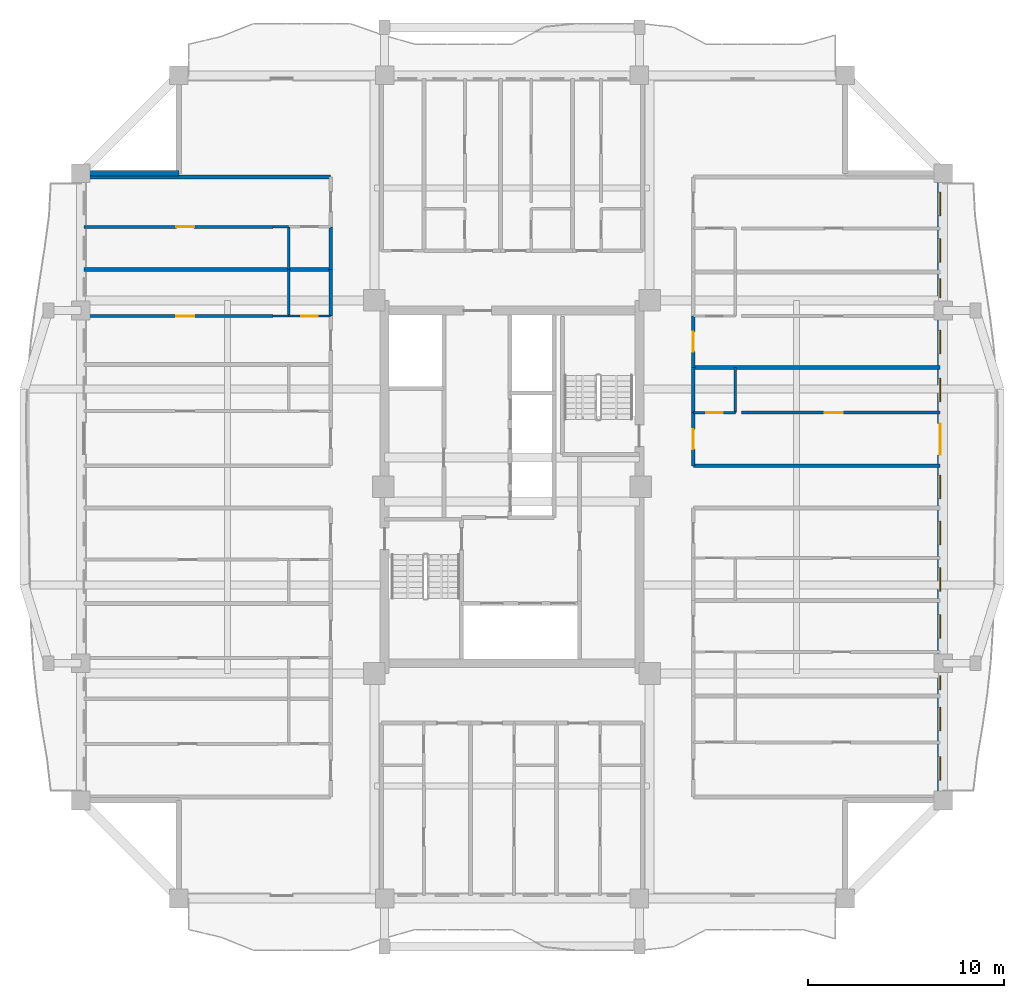
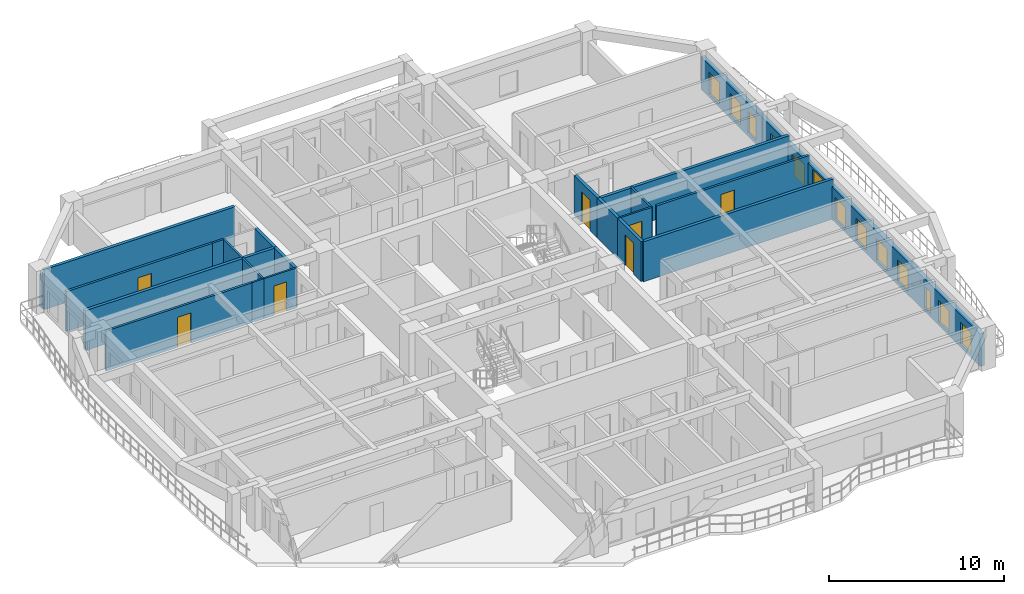
# One storey, part 6 of 15: 21 walls, 12 windows, 8 doors, 20 openings.
"""IFC4 building model written with IfcOpenShell, lengths in metres."""

from ifc_helpers import new_model, si_unit, direction, frame, frame_2d, origin, place, context, subcontext, project, spatial, rectangle, extrude, source, transform, mapped, material, layer, layer_set, type_object, element, fill, save


model = new_model("IFC4")

# Units and contexts
model_context = context("Model", 3, precision=1e-05, world=origin(), true_north=direction((0.0, 1.0)))
body_context = subcontext(model_context, "Body", "Model", "MODEL_VIEW")
ifc_project = project(units=[si_unit("LENGTHUNIT", "METRE"), si_unit("AREAUNIT", "SQUARE_METRE"), si_unit("VOLUMEUNIT", "CUBIC_METRE"), si_unit("PLANEANGLEUNIT", "RADIAN"), si_unit("MASSUNIT", "GRAM", prefix="KILO")], contexts=[model_context])

# Site, building, storey
site_placement = place(None, origin())
site = spatial("IfcSite", under=ifc_project, at=site_placement, CompositionType="ELEMENT")
building_placement = place(site_placement, origin())
building = spatial("IfcBuilding", under=site, at=building_placement, Name="Saelheon Loggia Tower", CompositionType="ELEMENT")
storey_placement = place(building_placement, frame((0.0, 0.0, 163.0)))
storey = spatial("IfcBuildingStorey", under=building, at=storey_placement, Name="L51", CompositionType="ELEMENT", Elevation=163.0)

# Wall, openings, windows, door
ifc_material_1 = material(Name="Architectural Precast Concrete C40/50", Category="concrete")
ifc_layer_1 = layer(ifc_material_1, 0.280029296875)
ifc_layer_set_1 = layer_set([ifc_layer_1], Name="Architectural Precast Concrete C40/50")
wall_type_1 = type_object("IfcWallType", Name="Wall_Ext_Loggia_280", PredefinedType="SOLIDWALL", material=ifc_layer_set_1)
wall_1_placement = place(storey_placement, frame((59.860107421875, 11.0, 0.0), z_axis=(0.0, 0.0, 1.0), x_axis=(0.0, 1.0, 0.0)))
wall_1 = element("IfcWall", 1, at=wall_1_placement, inside=storey, type_object=wall_type_1, Name="L51 East Loggia Inner Wall", PredefinedType="SOLIDWALL", context=body_context, shape_type="SweptSolid", body=[
    extrude(rectangle(XDim=32.0, YDim=0.280029296875, at=frame_2d((16.0, 0.0))), origin(), (0.0, 0.0, 1.0), 2.280029296875),
])
opening_1_placement = place(wall_1_placement, frame((1.040283203125, 0.0, 0.25)))
opening_1 = element("IfcOpeningElement", 2, at=opening_1_placement, cuts=wall_1, Name="Opening WN-03", PredefinedType="OPENING", context=body_context, shape_type="SweptSolid", body=[
    extrude(rectangle(XDim=1.199951171875, YDim=1.5, at=frame_2d((0.60009765625, 0.75))), frame((0.0, 0.152099609375, 0.0), z_axis=(0.0, -1.0, 0.0), x_axis=(1.0, 0.0, 0.0)), (0.0, 0.0, 1.0), 0.303955078125),
])
opening_2_placement = place(wall_1_placement, frame((3.552490234375, 0.0, 0.25)))
opening_2 = element("IfcOpeningElement", 3, at=opening_2_placement, cuts=wall_1, Name="Opening WN-03", PredefinedType="OPENING", context=body_context, shape_type="SweptSolid", body=[
    extrude(rectangle(XDim=1.199951171875, YDim=1.5, at=frame_2d((0.60009765625, 0.75))), frame((0.0, 0.152099609375, 0.0), z_axis=(0.0, -1.0, 0.0), x_axis=(1.0, 0.0, 0.0)), (0.0, 0.0, 1.0), 0.303955078125),
])
opening_3_placement = place(wall_1_placement, frame((5.662109375, 0.0, 0.25)))
opening_3 = element("IfcOpeningElement", 4, at=opening_3_placement, cuts=wall_1, Name="Opening WN-06", PredefinedType="OPENING", context=body_context, shape_type="SweptSolid", body=[
    extrude(rectangle(XDim=0.699951171875, YDim=1.5, at=frame_2d((0.35009765625, 0.75))), frame((0.0, 0.152099609375, 0.0), z_axis=(0.0, -1.0, 0.0), x_axis=(1.0, 0.0, 0.0)), (0.0, 0.0, 1.0), 0.303955078125),
])
opening_4_placement = place(wall_1_placement, frame((8.289794921875, 0.0, 0.25)))
opening_4 = element("IfcOpeningElement", 5, at=opening_4_placement, cuts=wall_1, Name="Opening WN-03", PredefinedType="OPENING", context=body_context, shape_type="SweptSolid", body=[
    extrude(rectangle(XDim=1.199951171875, YDim=1.5, at=frame_2d((0.60009765625, 0.75))), frame((0.0, 0.152099609375, 0.0), z_axis=(0.0, -1.0, 0.0), x_axis=(1.0, 0.0, 0.0)), (0.0, 0.0, 1.0), 0.303955078125),
])
opening_5_placement = place(wall_1_placement, frame((10.68798828125, 0.0, 0.25)))
opening_5 = element("IfcOpeningElement", 6, at=opening_5_placement, cuts=wall_1, Name="Opening WN-03", PredefinedType="OPENING", context=body_context, shape_type="SweptSolid", body=[
    extrude(rectangle(XDim=1.199951171875, YDim=1.5, at=frame_2d((0.60009765625, 0.75))), frame((0.0, 0.152099609375, 0.0), z_axis=(0.0, -1.0, 0.0), x_axis=(1.0, 0.0, 0.0)), (0.0, 0.0, 1.0), 0.303955078125),
])
opening_6_placement = place(wall_1_placement, frame((13.04638671875, 0.0, 0.25)))
opening_6 = element("IfcOpeningElement", 7, at=opening_6_placement, cuts=wall_1, Name="Opening WN-03", PredefinedType="OPENING", context=body_context, shape_type="SweptSolid", body=[
    extrude(rectangle(XDim=1.199951171875, YDim=1.5, at=frame_2d((0.60009765625, 0.75))), frame((0.0, 0.152099609375, 0.0), z_axis=(0.0, -1.0, 0.0), x_axis=(1.0, 0.0, 0.0)), (0.0, 0.0, 1.0), 0.303955078125),
])
opening_7_placement = place(wall_1_placement, frame((15.39990234375, 0.0, 0.25)))
opening_7 = element("IfcOpeningElement", 8, at=opening_7_placement, cuts=wall_1, Name="Opening WN-03", PredefinedType="OPENING", context=body_context, shape_type="SweptSolid", body=[
    extrude(rectangle(XDim=1.199951171875, YDim=1.5, at=frame_2d((0.60009765625, 0.75))), frame((0.0, 0.152099609375, 0.0), z_axis=(0.0, -1.0, 0.0), x_axis=(1.0, 0.0, 0.0)), (0.0, 0.0, 1.0), 0.303955078125),
])
opening_8_placement = place(wall_1_placement, frame((19.233154296875, 0.0, 0.0), z_axis=(0.0, 0.0, 1.0), x_axis=(-1.0, 0.0, 0.0)))
opening_8 = element("IfcOpeningElement", 9, at=opening_8_placement, cuts=wall_1, Name="Opening DLG-1", PredefinedType="OPENING", context=body_context, shape_type="SweptSolid", body=[
    extrude(rectangle(XDim=1.60009765625, YDim=2.14990234375, at=frame_2d((0.800048828125, 1.074951171875))), frame((0.0, 0.152099609375, 0.0), z_axis=(0.0, -1.0, 0.0), x_axis=(1.0, 0.0, 0.0)), (0.0, 0.0, 1.0), 0.303955078125),
])
opening_9_placement = place(wall_1_placement, frame((20.3388671875, 0.0, 0.25)))
opening_9 = element("IfcOpeningElement", 10, at=opening_9_placement, cuts=wall_1, Name="Opening WN-03", PredefinedType="OPENING", context=body_context, shape_type="SweptSolid", body=[
    extrude(rectangle(XDim=1.199951171875, YDim=1.5, at=frame_2d((0.60009765625, 0.75))), frame((0.0, 0.152099609375, 0.0), z_axis=(0.0, -1.0, 0.0), x_axis=(1.0, 0.0, 0.0)), (0.0, 0.0, 1.0), 0.303955078125),
])
opening_10_placement = place(wall_1_placement, frame((22.788330078125, 0.0, 0.25)))
opening_10 = element("IfcOpeningElement", 11, at=opening_10_placement, cuts=wall_1, Name="Opening WN-03", PredefinedType="OPENING", context=body_context, shape_type="SweptSolid", body=[
    extrude(rectangle(XDim=1.199951171875, YDim=1.5, at=frame_2d((0.60009765625, 0.75))), frame((0.0, 0.152099609375, 0.0), z_axis=(0.0, -1.0, 0.0), x_axis=(1.0, 0.0, 0.0)), (0.0, 0.0, 1.0), 0.303955078125),
])
opening_11_placement = place(wall_1_placement, frame((25.660400390625, 0.0, 0.25)))
opening_11 = element("IfcOpeningElement", 12, at=opening_11_placement, cuts=wall_1, Name="Opening WN-04", PredefinedType="OPENING", context=body_context, shape_type="SweptSolid", body=[
    extrude(rectangle(XDim=0.949951171875, YDim=1.5, at=frame_2d((0.47509765625, 0.75))), frame((0.0, 0.152099609375, 0.0), z_axis=(0.0, -1.0, 0.0), x_axis=(1.0, 0.0, 0.0)), (0.0, 0.0, 1.0), 0.303955078125),
])
opening_12_placement = place(wall_1_placement, frame((27.474609375, 0.0, 0.25)))
opening_12 = element("IfcOpeningElement", 13, at=opening_12_placement, cuts=wall_1, Name="Opening WN-03", PredefinedType="OPENING", context=body_context, shape_type="SweptSolid", body=[
    extrude(rectangle(XDim=1.199951171875, YDim=1.5, at=frame_2d((0.60009765625, 0.75))), frame((0.0, 0.152099609375, 0.0), z_axis=(0.0, -1.0, 0.0), x_axis=(1.0, 0.0, 0.0)), (0.0, 0.0, 1.0), 0.303955078125),
])
opening_13_placement = place(wall_1_placement, frame((29.839111328125, 0.0, 0.25)))
opening_13 = element("IfcOpeningElement", 14, at=opening_13_placement, cuts=wall_1, Name="Opening WN-03", PredefinedType="OPENING", context=body_context, shape_type="SweptSolid", body=[
    extrude(rectangle(XDim=1.199951171875, YDim=1.5, at=frame_2d((0.60009765625, 0.75))), frame((0.0, 0.152099609375, 0.0), z_axis=(0.0, -1.0, 0.0), x_axis=(1.0, 0.0, 0.0)), (0.0, 0.0, 1.0), 0.303955078125),
])
ifc_material_2 = material(Name="Thermal-Break Aluminium and Triple Low-E Glass", Category="aluminium")
window_type_1 = type_object("IfcWindowType", Name="Win_Slot_700x1500", PartitioningType="SINGLE_PANEL", PredefinedType="WINDOW", material=ifc_material_2)
shared_shape_1 = source(origin(), body_context, "Body", "SweptSolid", [
    extrude(rectangle(XDim=0.699951171875, YDim=1.5, at=frame_2d((0.35009765625, 0.75))), frame((0.0, 0.030029296875, 0.0), z_axis=(0.0, -1.0, 0.0), x_axis=(1.0, 0.0, 0.0)), (0.0, 0.0, 1.0), 0.06005859375),
])
window_1_placement = place(opening_3_placement, origin())
window_1 = element("IfcWindow", 15, at=window_1_placement, inside=storey, type_object=window_type_1, Name="L51 E Dwelling Window 3", OverallHeight=1.5, OverallWidth=0.699951171875, PartitioningType="SINGLE_PANEL", PredefinedType="WINDOW", context=body_context, shape_type="MappedRepresentation", body=[
    mapped(shared_shape_1, transform((0.0, 0.0, 0.0), scale=1.0)),
])
fill(opening_3, window_1)
window_type_2 = type_object("IfcWindowType", Name="Win_Bedroom_1200x1500", PartitioningType="SINGLE_PANEL", PredefinedType="WINDOW", material=ifc_material_2)
shared_shape_2 = source(origin(), body_context, "Body", "SweptSolid", [
    extrude(rectangle(XDim=1.199951171875, YDim=1.5, at=frame_2d((0.60009765625, 0.75))), frame((0.0, 0.030029296875, 0.0), z_axis=(0.0, -1.0, 0.0), x_axis=(1.0, 0.0, 0.0)), (0.0, 0.0, 1.0), 0.06005859375),
])
window_2_placement = place(opening_1_placement, origin())
window_2 = element("IfcWindow", 16, at=window_2_placement, inside=storey, type_object=window_type_2, Name="L51 E Dwelling Window 1", OverallHeight=1.5, OverallWidth=1.199951171875, PartitioningType="SINGLE_PANEL", PredefinedType="WINDOW", context=body_context, shape_type="MappedRepresentation", body=[
    mapped(shared_shape_2, transform((0.0, 0.0, 0.0), scale=1.0)),
])
fill(opening_1, window_2)
window_3_placement = place(opening_2_placement, origin())
window_3 = element("IfcWindow", 17, at=window_3_placement, inside=storey, type_object=window_type_2, Name="L51 E Dwelling Window 2", OverallHeight=1.5, OverallWidth=1.199951171875, PartitioningType="SINGLE_PANEL", PredefinedType="WINDOW", context=body_context, shape_type="MappedRepresentation", body=[
    mapped(shared_shape_2, transform((0.0, 0.0, 0.0), scale=1.0)),
])
fill(opening_2, window_3)
window_4_placement = place(opening_4_placement, origin())
window_4 = element("IfcWindow", 18, at=window_4_placement, inside=storey, type_object=window_type_2, Name="L51 E Dwelling Window 4", OverallHeight=1.5, OverallWidth=1.199951171875, PartitioningType="SINGLE_PANEL", PredefinedType="WINDOW", context=body_context, shape_type="MappedRepresentation", body=[
    mapped(shared_shape_2, transform((0.0, 0.0, 0.0), scale=1.0)),
])
fill(opening_4, window_4)
window_5_placement = place(opening_5_placement, origin())
window_5 = element("IfcWindow", 19, at=window_5_placement, inside=storey, type_object=window_type_2, Name="L51 E Dwelling Window 5", OverallHeight=1.5, OverallWidth=1.199951171875, PartitioningType="SINGLE_PANEL", PredefinedType="WINDOW", context=body_context, shape_type="MappedRepresentation", body=[
    mapped(shared_shape_2, transform((0.0, 0.0, 0.0), scale=1.0)),
])
fill(opening_5, window_5)
window_6_placement = place(opening_6_placement, origin())
window_6 = element("IfcWindow", 20, at=window_6_placement, inside=storey, type_object=window_type_2, Name="L51 E Dwelling Window 6", OverallHeight=1.5, OverallWidth=1.199951171875, PartitioningType="SINGLE_PANEL", PredefinedType="WINDOW", context=body_context, shape_type="MappedRepresentation", body=[
    mapped(shared_shape_2, transform((0.0, 0.0, 0.0), scale=1.0)),
])
fill(opening_6, window_6)
window_7_placement = place(opening_7_placement, origin())
window_7 = element("IfcWindow", 21, at=window_7_placement, inside=storey, type_object=window_type_2, Name="L51 E Dwelling Window 7", OverallHeight=1.5, OverallWidth=1.199951171875, PartitioningType="SINGLE_PANEL", PredefinedType="WINDOW", context=body_context, shape_type="MappedRepresentation", body=[
    mapped(shared_shape_2, transform((0.0, 0.0, 0.0), scale=1.0)),
])
fill(opening_7, window_7)
window_8_placement = place(opening_9_placement, origin())
window_8 = element("IfcWindow", 22, at=window_8_placement, inside=storey, type_object=window_type_2, Name="L51 E Dwelling Window 9", OverallHeight=1.5, OverallWidth=1.199951171875, PartitioningType="SINGLE_PANEL", PredefinedType="WINDOW", context=body_context, shape_type="MappedRepresentation", body=[
    mapped(shared_shape_2, transform((0.0, 0.0, 0.0), scale=1.0)),
])
fill(opening_9, window_8)
window_9_placement = place(opening_10_placement, origin())
window_9 = element("IfcWindow", 23, at=window_9_placement, inside=storey, type_object=window_type_2, Name="L51 E Dwelling Window 10", OverallHeight=1.5, OverallWidth=1.199951171875, PartitioningType="SINGLE_PANEL", PredefinedType="WINDOW", context=body_context, shape_type="MappedRepresentation", body=[
    mapped(shared_shape_2, transform((0.0, 0.0, 0.0), scale=1.0)),
])
fill(opening_10, window_9)
window_10_placement = place(opening_12_placement, origin())
window_10 = element("IfcWindow", 24, at=window_10_placement, inside=storey, type_object=window_type_2, Name="L51 E Dwelling Window 12", OverallHeight=1.5, OverallWidth=1.199951171875, PartitioningType="SINGLE_PANEL", PredefinedType="WINDOW", context=body_context, shape_type="MappedRepresentation", body=[
    mapped(shared_shape_2, transform((0.0, 0.0, 0.0), scale=1.0)),
])
fill(opening_12, window_10)
window_11_placement = place(opening_13_placement, origin())
window_11 = element("IfcWindow", 25, at=window_11_placement, inside=storey, type_object=window_type_2, Name="L51 E Dwelling Window 13", OverallHeight=1.5, OverallWidth=1.199951171875, PartitioningType="SINGLE_PANEL", PredefinedType="WINDOW", context=body_context, shape_type="MappedRepresentation", body=[
    mapped(shared_shape_2, transform((0.0, 0.0, 0.0), scale=1.0)),
])
fill(opening_13, window_11)
window_type_3 = type_object("IfcWindowType", Name="Win_Narrow_950x1500", PartitioningType="SINGLE_PANEL", PredefinedType="WINDOW", material=ifc_material_2)
shared_shape_3 = source(origin(), body_context, "Body", "SweptSolid", [
    extrude(rectangle(XDim=0.949951171875, YDim=1.5, at=frame_2d((0.47509765625, 0.75))), frame((0.0, 0.030029296875, 0.0), z_axis=(0.0, -1.0, 0.0), x_axis=(1.0, 0.0, 0.0)), (0.0, 0.0, 1.0), 0.06005859375),
])
window_12_placement = place(opening_11_placement, origin())
window_12 = element("IfcWindow", 26, at=window_12_placement, inside=storey, type_object=window_type_3, Name="L51 E Dwelling Window 11", OverallHeight=1.5, OverallWidth=0.949951171875, PartitioningType="SINGLE_PANEL", PredefinedType="WINDOW", context=body_context, shape_type="MappedRepresentation", body=[
    mapped(shared_shape_3, transform((0.0, 0.0, 0.0), scale=1.0)),
])
fill(opening_11, window_12)
ifc_material_3 = material(Name="Thermal-Break Aluminium Sliding Glazed Door", Category="aluminium")
door_type_1 = type_object("IfcDoorType", Name="Door_LoggiaSlide_1600", OperationType="SLIDING_TO_LEFT", PredefinedType="DOOR", material=ifc_material_3)
shared_shape_4 = source(origin(), body_context, "Body", "SweptSolid", [
    extrude(rectangle(XDim=1.60009765625, YDim=2.14990234375, at=frame_2d((0.800048828125, 1.074951171875))), frame((0.0, 0.02490234375, 0.0), z_axis=(0.0, -1.0, 0.0), x_axis=(1.0, 0.0, 0.0)), (0.0, 0.0, 1.0), 0.050048828125),
])
door_1_placement = place(opening_8_placement, origin())
door_1 = element("IfcDoor", 27, at=door_1_placement, inside=storey, type_object=door_type_1, Name="L51 E Loggia Access Door", OperationType="SLIDING_TO_LEFT", OverallHeight=2.14990234375, OverallWidth=1.60009765625, PredefinedType="DOOR", context=body_context, shape_type="MappedRepresentation", body=[
    mapped(shared_shape_4, transform((0.0, 0.0, 0.0), scale=1.0)),
])
fill(opening_8, door_1)

# Wall
wall_2_placement = place(storey_placement, frame((16.080078125, 43.0, 0.0), z_axis=(0.0, 0.0, 1.0), x_axis=(1.0, 0.0, 0.0)))
element("IfcWall", 28, at=wall_2_placement, inside=storey, type_object=wall_type_1, Name="L51 Corner Notch Precast Wall NW2", PredefinedType="SOLIDWALL", context=body_context, shape_type="SweptSolid", body=[
    extrude(rectangle(XDim=4.919921875, YDim=0.280029296875, at=frame_2d((2.4599609375, 0.0))), origin(), (0.0, 0.0, 1.0), 2.280029296875),
])

# Wall, opening, door
ifc_material_4 = material(Name="Lightweight Autoclaved Aerated Concrete Block and Acoustic Gypsum", Category="concrete")
ifc_layer_2 = layer(ifc_material_4, 0.14990234375)
ifc_layer_set_2 = layer_set([ifc_layer_2], Name="Lightweight Autoclaved Aerated Concrete Block and Acoustic Gypsum")
wall_type_2 = type_object("IfcWallType", Name="Wall_Part_150", PredefinedType="PARTITIONING", material=ifc_layer_set_2)
wall_3_placement = place(storey_placement, frame((25.81005859375, 35.719970703125, 0.0), z_axis=(0.0, 0.0, 1.0), x_axis=(-1.0, 0.0, 0.0)))
wall_3 = element("IfcWall", 29, at=wall_3_placement, inside=storey, type_object=wall_type_2, Name="L51 WN Partition U15", PredefinedType="PARTITIONING", context=body_context, shape_type="SweptSolid", body=[
    extrude(rectangle(XDim=9.66015625, YDim=0.14990234375, at=frame_2d((4.830078125, 0.0))), origin(), (0.0, 0.0, 1.0), 2.7900390625),
])
opening_14_placement = place(wall_3_placement, frame((4.034912109375, 0.0, 0.0)))
opening_14 = element("IfcOpeningElement", 30, at=opening_14_placement, cuts=wall_3, Name="Opening D-IN2", PredefinedType="OPENING", context=body_context, shape_type="SweptSolid", body=[
    extrude(rectangle(XDim=0.89990234375, YDim=2.10009765625, at=frame_2d((0.449951171875, 1.050048828125))), frame((0.0, 0.0869140625, 0.0), z_axis=(0.0, -1.0, 0.0), x_axis=(1.0, 0.0, 0.0)), (0.0, 0.0, 1.0), 0.173828125),
])
ifc_material_5 = material(Name="Engineered Oak Flush Door", Category="timber")
door_type_2 = type_object("IfcDoorType", Name="Door_Int_900", OperationType="NOTDEFINED", PredefinedType="DOOR", material=ifc_material_5)
shared_shape_5 = source(origin(), body_context, "Body", "SweptSolid", [
    extrude(rectangle(XDim=0.89990234375, YDim=2.10009765625, at=frame_2d((0.449951171875, 1.050048828125))), frame((0.0, 0.02490234375, 0.0), z_axis=(0.0, -1.0, 0.0), x_axis=(1.0, 0.0, 0.0)), (0.0, 0.0, 1.0), 0.050048828125),
])
door_2_placement = place(opening_14_placement, origin())
door_2 = element("IfcDoor", 31, at=door_2_placement, inside=storey, type_object=door_type_2, Name="Unit U11 Kitchen Door", OperationType="SINGLE_SWING_LEFT", OverallHeight=2.10009765625, OverallWidth=0.89990234375, PredefinedType="DOOR", context=body_context, shape_type="MappedRepresentation", body=[
    mapped(shared_shape_5, transform((0.0, 0.0, 0.0), scale=1.0)),
])
fill(opening_14, door_2)

wall_4_placement = place(storey_placement, frame((25.81005859375, 40.27294921875, 0.0), z_axis=(0.0, 0.0, 1.0), x_axis=(-1.0, 0.0, 0.0)))
wall_4 = element("IfcWall", 32, at=wall_4_placement, inside=storey, type_object=wall_type_2, Name="L51 WN Partition U22", PredefinedType="PARTITIONING", context=body_context, shape_type="SweptSolid", body=[
    extrude(rectangle(XDim=9.66015625, YDim=0.14990234375, at=frame_2d((4.830078125, 0.0))), origin(), (0.0, 0.0, 1.0), 2.7900390625),
])
opening_15_placement = place(wall_4_placement, frame((4.034912109375, 0.0, 0.0)))
opening_15 = element("IfcOpeningElement", 33, at=opening_15_placement, cuts=wall_4, Name="Opening D-IN2", PredefinedType="OPENING", context=body_context, shape_type="SweptSolid", body=[
    extrude(rectangle(XDim=0.89990234375, YDim=2.10009765625, at=frame_2d((0.449951171875, 1.050048828125))), frame((0.0, 0.0869140625, 0.0), z_axis=(0.0, -1.0, 0.0), x_axis=(1.0, 0.0, 0.0)), (0.0, 0.0, 1.0), 0.173828125),
])
door_3_placement = place(opening_15_placement, origin())
door_3 = element("IfcDoor", 34, at=door_3_placement, inside=storey, type_object=door_type_2, Name="Unit U12 Kitchen Door", OperationType="SINGLE_SWING_RIGHT", OverallHeight=2.10009765625, OverallWidth=0.89990234375, PredefinedType="DOOR", context=body_context, shape_type="MappedRepresentation", body=[
    mapped(shared_shape_5, transform((0.0, 0.0, 0.0), scale=1.0)),
])
fill(opening_15, door_3)

wall_5_placement = place(storey_placement, frame((49.7099609375, 30.786376953125, 0.0), z_axis=(0.0, 0.0, 1.0), x_axis=(1.0, 0.0, 0.0)))
wall_5 = element("IfcWall", 35, at=wall_5_placement, inside=storey, type_object=wall_type_2, Name="L51 EN Partition U07", PredefinedType="PARTITIONING", context=body_context, shape_type="SweptSolid", body=[
    extrude(rectangle(XDim=10.14013671875, YDim=0.14990234375, at=frame_2d((5.070068359375, 0.0))), origin(), (0.0, 0.0, 1.0), 2.7900390625),
])
opening_16_placement = place(wall_5_placement, frame((4.2548828125, 0.0, 0.0)))
opening_16 = element("IfcOpeningElement", 36, at=opening_16_placement, cuts=wall_5, Name="Opening D-IN2", PredefinedType="OPENING", context=body_context, shape_type="SweptSolid", body=[
    extrude(rectangle(XDim=0.89990234375, YDim=2.10009765625, at=frame_2d((0.449951171875, 1.050048828125))), frame((0.0, 0.0869140625, 0.0), z_axis=(0.0, -1.0, 0.0), x_axis=(1.0, 0.0, 0.0)), (0.0, 0.0, 1.0), 0.173828125),
])
door_4_placement = place(opening_16_placement, origin())
door_4 = element("IfcDoor", 37, at=door_4_placement, inside=storey, type_object=door_type_2, Name="Unit U16 Kitchen Door", OperationType="SINGLE_SWING_RIGHT", OverallHeight=2.10009765625, OverallWidth=0.89990234375, PredefinedType="DOOR", context=body_context, shape_type="MappedRepresentation", body=[
    mapped(shared_shape_5, transform((0.0, 0.0, 0.0), scale=1.0)),
])
fill(opening_16, door_4)

# Walls
ifc_material_6 = material(Name="Double Acoustic Stud and Fireboard Partition", Category="gypsum")
ifc_layer_3 = layer(ifc_material_6, 0.199951171875)
ifc_layer_set_3 = layer_set([ifc_layer_3], Name="Double Acoustic Stud and Fireboard Partition")
wall_type_3 = type_object("IfcWallType", Name="Wall_Party_200", PredefinedType="PARTITIONING", material=ifc_layer_set_3)
wall_6_placement = place(storey_placement, frame((28.75, 42.820068359375, 0.0), z_axis=(0.0, 0.0, 1.0), x_axis=(-1.0, 0.0, 0.0)))
element("IfcWall", 38, at=wall_6_placement, inside=storey, type_object=wall_type_3, Name="L51 WN Partition U02", PredefinedType="PARTITIONING", context=body_context, shape_type="SweptSolid", body=[
    extrude(rectangle(XDim=12.60009765625, YDim=0.199951171875, at=frame_2d((6.300048828125, 0.0))), origin(), (0.0, 0.0, 1.0), 2.7900390625),
])
wall_7_placement = place(storey_placement, frame((28.75, 35.719970703125, 0.0), z_axis=(0.0, 0.0, 1.0), x_axis=(0.0, 1.0, 0.0)))
element("IfcWall", 39, at=wall_7_placement, inside=storey, type_object=wall_type_3, Name="L51 WN Partition V11", PredefinedType="PARTITIONING", context=body_context, shape_type="SweptSolid", body=[
    extrude(rectangle(XDim=2.38330078125, YDim=0.199951171875, at=frame_2d((1.191650390625, 0.0))), origin(), (0.0, 0.0, 1.0), 2.7900390625),
])
wall_8_placement = place(storey_placement, frame((28.75, 38.103271484375, 0.0), z_axis=(0.0, 0.0, 1.0), x_axis=(-1.0, 0.0, 0.0)))
element("IfcWall", 40, at=wall_8_placement, inside=storey, type_object=wall_type_3, Name="L51 WN Partition U16", PredefinedType="PARTITIONING", context=body_context, shape_type="SweptSolid", body=[
    extrude(rectangle(XDim=12.60009765625, YDim=0.199951171875, at=frame_2d((6.300048828125, 0.0))), origin(), (0.0, 0.0, 1.0), 2.7900390625),
])
wall_9_placement = place(storey_placement, frame((28.75, 38.103271484375, 0.0), z_axis=(0.0, 0.0, 1.0), x_axis=(0.0, 1.0, 0.0)))
element("IfcWall", 41, at=wall_9_placement, inside=storey, type_object=wall_type_3, Name="L51 WN Partition V17", PredefinedType="PARTITIONING", context=body_context, shape_type="SweptSolid", body=[
    extrude(rectangle(XDim=2.169677734375, YDim=0.199951171875, at=frame_2d((1.0849609375, 0.0))), origin(), (0.0, 0.0, 1.0), 2.7900390625),
])
wall_10_placement = place(storey_placement, frame((47.25, 28.080078125, 0.0), z_axis=(0.0, 0.0, 1.0), x_axis=(1.0, 0.0, 0.0)))
element("IfcWall", 42, at=wall_10_placement, inside=storey, type_object=wall_type_3, Name="L51 EN Partition U01", PredefinedType="PARTITIONING", context=body_context, shape_type="SweptSolid", body=[
    extrude(rectangle(XDim=12.60009765625, YDim=0.199951171875, at=frame_2d((6.300048828125, 0.0))), origin(), (0.0, 0.0, 1.0), 2.7900390625),
])

# Wall, opening, door
wall_11_placement = place(storey_placement, frame((47.25, 28.080078125, 0.0), z_axis=(0.0, 0.0, 1.0), x_axis=(0.0, 1.0, 0.0)))
wall_11 = element("IfcWall", 43, at=wall_11_placement, inside=storey, type_object=wall_type_3, Name="L51 EN Partition V03", PredefinedType="PARTITIONING", context=body_context, shape_type="SweptSolid", body=[
    extrude(rectangle(XDim=2.706298828125, YDim=0.199951171875, at=frame_2d((1.35302734375, 0.0))), origin(), (0.0, 0.0, 1.0), 2.7900390625),
])
opening_17_placement = place(wall_11_placement, frame((0.853271484375, 0.0, 0.0)))
opening_17 = element("IfcOpeningElement", 44, at=opening_17_placement, cuts=wall_11, Name="Opening D-FD1", PredefinedType="OPENING", context=body_context, shape_type="SweptSolid", body=[
    extrude(rectangle(XDim=1.0, YDim=2.14990234375, at=frame_2d((0.5, 1.074951171875))), frame((0.0, 0.112060546875, 0.0), z_axis=(0.0, -1.0, 0.0), x_axis=(1.0, 0.0, 0.0)), (0.0, 0.0, 1.0), 0.223876953125),
])
ifc_material_7 = material(Name="Fire-Rated Engineered Timber Entrance Door", Category="wood")
door_type_3 = type_object("IfcDoorType", Name="Door_Flat_FD30S", OperationType="NOTDEFINED", PredefinedType="DOOR", material=ifc_material_7)
shared_shape_6 = source(origin(), body_context, "Body", "SweptSolid", [
    extrude(rectangle(XDim=1.0, YDim=2.14990234375, at=frame_2d((0.5, 1.074951171875))), frame((0.0, 0.02490234375, 0.0), z_axis=(0.0, -1.0, 0.0), x_axis=(1.0, 0.0, 0.0)), (0.0, 0.0, 1.0), 0.050048828125),
])
door_5_placement = place(opening_17_placement, origin())
door_5 = element("IfcDoor", 45, at=door_5_placement, inside=storey, type_object=door_type_3, Name="Unit U16 Entrance Door", OperationType="SINGLE_SWING_RIGHT", OverallHeight=2.14990234375, OverallWidth=1.0, PredefinedType="DOOR", context=body_context, shape_type="MappedRepresentation", body=[
    mapped(shared_shape_6, transform((0.0, 0.0, 0.0), scale=1.0)),
])
fill(opening_17, door_5)

# Walls
wall_12_placement = place(storey_placement, frame((47.25, 30.786376953125, 0.0), z_axis=(0.0, 0.0, 1.0), x_axis=(0.0, 1.0, 0.0)))
element("IfcWall", 46, at=wall_12_placement, inside=storey, type_object=wall_type_3, Name="L51 EN Partition V04", PredefinedType="PARTITIONING", context=body_context, shape_type="SweptSolid", body=[
    extrude(rectangle(XDim=2.30517578125, YDim=0.199951171875, at=frame_2d((1.152587890625, 0.0))), origin(), (0.0, 0.0, 1.0), 2.7900390625),
])
wall_13_placement = place(storey_placement, frame((47.25, 33.091552734375, 0.0), z_axis=(0.0, 0.0, 1.0), x_axis=(1.0, 0.0, 0.0)))
element("IfcWall", 47, at=wall_13_placement, inside=storey, type_object=wall_type_3, Name="L51 EN Partition U08", PredefinedType="PARTITIONING", context=body_context, shape_type="SweptSolid", body=[
    extrude(rectangle(XDim=12.60009765625, YDim=0.199951171875, at=frame_2d((6.300048828125, 0.0))), origin(), (0.0, 0.0, 1.0), 2.7900390625),
])

# Wall, opening, door
wall_14_placement = place(storey_placement, frame((47.25, 33.091552734375, 0.0), z_axis=(0.0, 0.0, 1.0), x_axis=(0.0, 1.0, 0.0)))
wall_14 = element("IfcWall", 48, at=wall_14_placement, inside=storey, type_object=wall_type_3, Name="L51 EN Partition V09", PredefinedType="PARTITIONING", context=body_context, shape_type="SweptSolid", body=[
    extrude(rectangle(XDim=2.62841796875, YDim=0.199951171875, at=frame_2d((1.314208984375, 0.0))), origin(), (0.0, 0.0, 1.0), 2.7900390625),
])
opening_18_placement = place(wall_14_placement, frame((0.814208984375, 0.0, 0.0)))
opening_18 = element("IfcOpeningElement", 49, at=opening_18_placement, cuts=wall_14, Name="Opening D-FD1", PredefinedType="OPENING", context=body_context, shape_type="SweptSolid", body=[
    extrude(rectangle(XDim=1.0, YDim=2.14990234375, at=frame_2d((0.5, 1.074951171875))), frame((0.0, 0.112060546875, 0.0), z_axis=(0.0, -1.0, 0.0), x_axis=(1.0, 0.0, 0.0)), (0.0, 0.0, 1.0), 0.223876953125),
])
door_6_placement = place(opening_18_placement, origin())
door_6 = element("IfcDoor", 50, at=door_6_placement, inside=storey, type_object=door_type_3, Name="Unit U17 Entrance Door", OperationType="SINGLE_SWING_LEFT", OverallHeight=2.14990234375, OverallWidth=1.0, PredefinedType="DOOR", context=body_context, shape_type="MappedRepresentation", body=[
    mapped(shared_shape_6, transform((0.0, 0.0, 0.0), scale=1.0)),
])
fill(opening_18, door_6)

ifc_material_8 = material(Name="Moisture-Resistant Cement Board Partition", Category="gypsum")
ifc_layer_4 = layer(ifc_material_8, 0.1201171875)
ifc_layer_set_4 = layer_set([ifc_layer_4], Name="Moisture-Resistant Cement Board Partition")
wall_type_4 = type_object("IfcWallType", Name="Wall_WetPart_120", PredefinedType="PARTITIONING", material=ifc_layer_set_4)
wall_15_placement = place(storey_placement, frame((28.75, 35.719970703125, 0.0), z_axis=(0.0, 0.0, 1.0), x_axis=(-1.0, 0.0, 0.0)))
wall_15 = element("IfcWall", 51, at=wall_15_placement, inside=storey, type_object=wall_type_4, Name="L51 WN Partition U12", PredefinedType="PARTITIONING", context=body_context, shape_type="SweptSolid", body=[
    extrude(rectangle(XDim=2.14990234375, YDim=0.1201171875, at=frame_2d((1.074951171875, 0.0))), origin(), (0.0, 0.0, 1.0), 2.7900390625),
])
opening_19_placement = place(wall_15_placement, frame((0.64990234375, 0.0, 0.0)))
opening_19 = element("IfcOpeningElement", 52, at=opening_19_placement, cuts=wall_15, Name="Opening D-BT1", PredefinedType="OPENING", context=body_context, shape_type="SweptSolid", body=[
    extrude(rectangle(XDim=0.85009765625, YDim=2.050048828125, at=frame_2d((0.425048828125, 1.02490234375))), frame((0.0, 0.072021484375, 0.0), z_axis=(0.0, -1.0, 0.0), x_axis=(1.0, 0.0, 0.0)), (0.0, 0.0, 1.0), 0.14404296875),
])
ifc_material_9 = material(Name="Moisture-Resistant Laminate Timber Door", Category="wood")
door_type_4 = type_object("IfcDoorType", Name="Door_Bath_850", OperationType="NOTDEFINED", PredefinedType="DOOR", material=ifc_material_9)
shared_shape_7 = source(origin(), body_context, "Body", "SweptSolid", [
    extrude(rectangle(XDim=0.85009765625, YDim=2.050048828125, at=frame_2d((0.425048828125, 1.02490234375))), frame((0.0, 0.02490234375, 0.0), z_axis=(0.0, -1.0, 0.0), x_axis=(1.0, 0.0, 0.0)), (0.0, 0.0, 1.0), 0.050048828125),
])
door_7_placement = place(opening_19_placement, origin())
door_7 = element("IfcDoor", 53, at=door_7_placement, inside=storey, type_object=door_type_4, Name="Unit U11 Bathroom Door", OperationType="SINGLE_SWING_RIGHT", OverallHeight=2.050048828125, OverallWidth=0.85009765625, PredefinedType="DOOR", context=body_context, shape_type="MappedRepresentation", body=[
    mapped(shared_shape_7, transform((0.0, 0.0, 0.0), scale=1.0)),
])
fill(opening_19, door_7)

# Walls
wall_16_placement = place(storey_placement, frame((26.60009765625, 35.719970703125, 0.0), z_axis=(0.0, 0.0, 1.0), x_axis=(-1.0, 0.0, 0.0)))
element("IfcWall", 54, at=wall_16_placement, inside=storey, type_object=wall_type_4, Name="L51 WN Partition U13", PredefinedType="PARTITIONING", context=body_context, shape_type="SweptSolid", body=[
    extrude(rectangle(XDim=0.7900390625, YDim=0.1201171875, at=frame_2d((0.39501953125, 0.0))), origin(), (0.0, 0.0, 1.0), 2.7900390625),
])
wall_17_placement = place(storey_placement, frame((26.60009765625, 35.719970703125, 0.0), z_axis=(0.0, 0.0, 1.0), x_axis=(0.0, 1.0, 0.0)))
element("IfcWall", 55, at=wall_17_placement, inside=storey, type_object=wall_type_4, Name="L51 WN Partition V14", PredefinedType="PARTITIONING", context=body_context, shape_type="SweptSolid", body=[
    extrude(rectangle(XDim=2.38330078125, YDim=0.1201171875, at=frame_2d((1.191650390625, 0.0))), origin(), (0.0, 0.0, 1.0), 2.7900390625),
])
wall_18_placement = place(storey_placement, frame((26.60009765625, 40.27294921875, 0.0), z_axis=(0.0, 0.0, 1.0), x_axis=(-1.0, 0.0, 0.0)))
element("IfcWall", 56, at=wall_18_placement, inside=storey, type_object=wall_type_4, Name="L51 WN Partition U20", PredefinedType="PARTITIONING", context=body_context, shape_type="SweptSolid", body=[
    extrude(rectangle(XDim=0.7900390625, YDim=0.1201171875, at=frame_2d((0.39501953125, 0.0))), origin(), (0.0, 0.0, 1.0), 2.7900390625),
])
wall_19_placement = place(storey_placement, frame((26.60009765625, 38.103271484375, 0.0), z_axis=(0.0, 0.0, 1.0), x_axis=(0.0, 1.0, 0.0)))
element("IfcWall", 57, at=wall_19_placement, inside=storey, type_object=wall_type_4, Name="L51 WN Partition V21", PredefinedType="PARTITIONING", context=body_context, shape_type="SweptSolid", body=[
    extrude(rectangle(XDim=2.169677734375, YDim=0.1201171875, at=frame_2d((1.0849609375, 0.0))), origin(), (0.0, 0.0, 1.0), 2.7900390625),
])

# Wall, opening, door
wall_20_placement = place(storey_placement, frame((47.25, 30.786376953125, 0.0), z_axis=(0.0, 0.0, 1.0), x_axis=(1.0, 0.0, 0.0)))
wall_20 = element("IfcWall", 58, at=wall_20_placement, inside=storey, type_object=wall_type_4, Name="L51 EN Partition U05", PredefinedType="PARTITIONING", context=body_context, shape_type="SweptSolid", body=[
    extrude(rectangle(XDim=2.14990234375, YDim=0.1201171875, at=frame_2d((1.074951171875, 0.0))), origin(), (0.0, 0.0, 1.0), 2.7900390625),
])
opening_20_placement = place(wall_20_placement, frame((0.64990234375, 0.0, 0.0)))
opening_20 = element("IfcOpeningElement", 59, at=opening_20_placement, cuts=wall_20, Name="Opening D-BT1", PredefinedType="OPENING", context=body_context, shape_type="SweptSolid", body=[
    extrude(rectangle(XDim=0.85009765625, YDim=2.050048828125, at=frame_2d((0.425048828125, 1.02490234375))), frame((0.0, 0.072021484375, 0.0), z_axis=(0.0, -1.0, 0.0), x_axis=(1.0, 0.0, 0.0)), (0.0, 0.0, 1.0), 0.14404296875),
])
door_8_placement = place(opening_20_placement, origin())
door_8 = element("IfcDoor", 60, at=door_8_placement, inside=storey, type_object=door_type_4, Name="Unit U16 Bathroom Door", OperationType="SINGLE_SWING_LEFT", OverallHeight=2.050048828125, OverallWidth=0.85009765625, PredefinedType="DOOR", context=body_context, shape_type="MappedRepresentation", body=[
    mapped(shared_shape_7, transform((0.0, 0.0, 0.0), scale=1.0)),
])
fill(opening_20, door_8)

# Wall
wall_21_placement = place(storey_placement, frame((49.39990234375, 30.786376953125, 0.0), z_axis=(0.0, 0.0, 1.0), x_axis=(0.0, 1.0, 0.0)))
element("IfcWall", 61, at=wall_21_placement, inside=storey, type_object=wall_type_4, Name="L51 EN Partition V06", PredefinedType="PARTITIONING", context=body_context, shape_type="SweptSolid", body=[
    extrude(rectangle(XDim=2.30517578125, YDim=0.1201171875, at=frame_2d((1.152587890625, 0.0))), origin(), (0.0, 0.0, 1.0), 2.7900390625),
])

save(model, "model.ifc")
